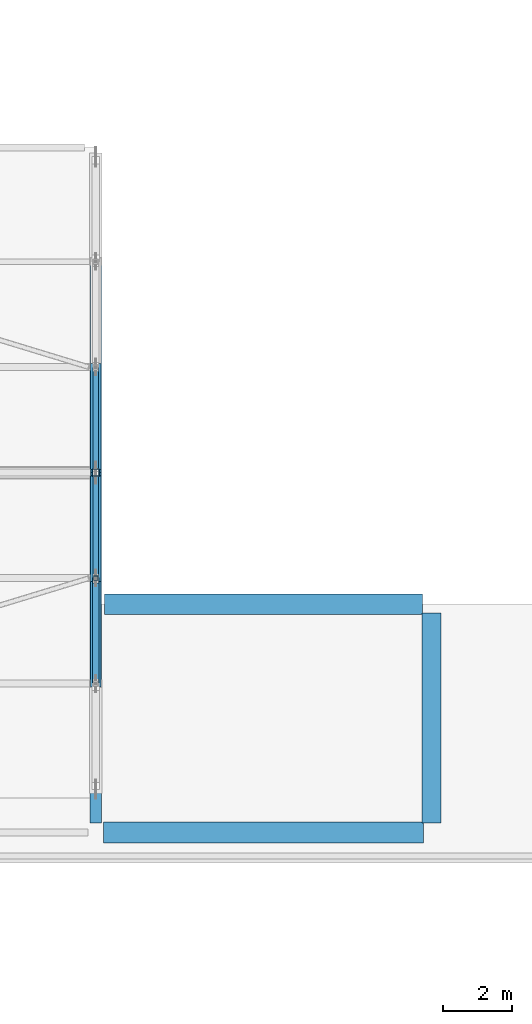
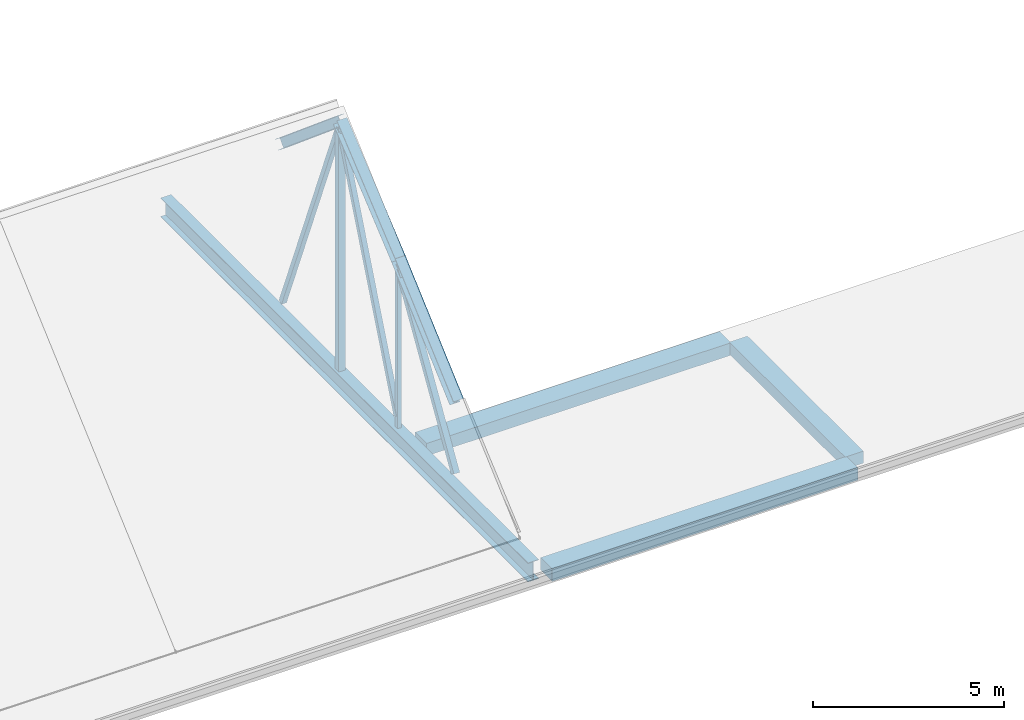
# One storey, part 25 of 86: 8 members, 4 beams.
"""IFC4 building model written with IfcOpenShell, lengths in metres."""

from ifc_helpers import new_model, si_unit, derived_unit, direction, frame, origin, origin_2d, place, context, subcontext, project, spatial, rectangle, hollow_rectangle, i_section, extrude, material, material_profile, profile_set, type_object, element, save


model = new_model("IFC4")

# Units and contexts
model_context = context("Model", 3, precision=1e-05, world=origin(), true_north=direction((0.0, 1.0)))
body_context = subcontext(model_context, "Body", "Model", "MODEL_VIEW")
ifc_project = project(units=[si_unit("LENGTHUNIT", "METRE"), si_unit("AREAUNIT", "SQUARE_METRE"), si_unit("VOLUMEUNIT", "CUBIC_METRE"), si_unit("PLANEANGLEUNIT", "RADIAN"), si_unit("MASSUNIT", "GRAM", prefix="KILO"), derived_unit("THERMALTRANSMITTANCEUNIT", [(si_unit("POWERUNIT", "WATT"), 1), (si_unit("LENGTHUNIT", "METRE"), -2), (si_unit("THERMODYNAMICTEMPERATUREUNIT", "KELVIN"), -1)])], contexts=[model_context])

# Site, building, storey
site_placement = place(None, origin())
site = spatial("IfcSite", under=ifc_project, at=site_placement, CompositionType="ELEMENT")
building_placement = place(site_placement, origin())
building = spatial("IfcBuilding", under=site, at=building_placement, Name="Braskholm Square Health Centre", CompositionType="ELEMENT")
storey_placement = place(building_placement, frame((0.0, 0.0, 13.5)))
storey = spatial("IfcBuildingStorey", under=building, at=storey_placement, Name="L04", CompositionType="ELEMENT", Elevation=13.5)

# Beams
ifc_material_1 = material(Name="Concrete C35/45 (f'c = 35 MPa)", Category="concrete")
ifc_material_profile_1 = material_profile(ifc_material_1, rectangle(XDim=0.550048828125, YDim=0.3798828125, at=origin_2d()), Name="RCB-550X380")
ifc_profile_set_1 = profile_set([ifc_material_profile_1], Name="Concrete C35/45 (f'c = 35 MPa)")
beam_type_1 = type_object("IfcBeamType", Name="PrimaryBandBeam550x380", PredefinedType="BEAM", material=ifc_profile_set_1)
beam_1_placement = place(storey_placement, frame((130.10009765625, 87.47998046875, -0.43994140625), z_axis=(0.0, 1.0, 0.0), x_axis=(-1.0, 0.0, 0.0)))
element("IfcBeam", 1, at=beam_1_placement, inside=storey, type_object=beam_type_1, Name="Beam 16/N-P L04", PredefinedType="BEAM", context=body_context, shape_type="SweptSolid", body=[
    extrude(rectangle(XDim=0.550048828125, YDim=0.3798828125, at=origin_2d()), origin(), (0.0, 0.0, 1.0), 6.070068359375),
])
ifc_material_profile_2 = material_profile(ifc_material_1, rectangle(XDim=0.60009765625, YDim=0.39990234375, at=origin_2d()), Name="RCB-600X400")
ifc_profile_set_2 = profile_set([ifc_material_profile_2], Name="Concrete C35/45 (f'c = 35 MPa)")
beam_type_2 = type_object("IfcBeamType", Name="PrimaryBandBeam600x400", PredefinedType="BEAM", material=ifc_profile_set_2)
beam_2_placement = place(storey_placement, frame((120.6298828125, 87.199951171875, -0.449951171875), z_axis=(1.0, 0.0, 0.0), x_axis=(0.0, 1.0, 0.0)))
element("IfcBeam", 2, at=beam_2_placement, inside=storey, type_object=beam_type_2, Name="Beam 15-16/N L04", PredefinedType="BEAM", context=body_context, shape_type="SweptSolid", body=[
    extrude(rectangle(XDim=0.60009765625, YDim=0.39990234375, at=origin_2d()), origin(), (0.0, 0.0, 1.0), 9.240234375),
])
beam_3_placement = place(storey_placement, frame((120.64990234375, 93.800048828125, -0.449951171875), z_axis=(1.0, 0.0, 0.0), x_axis=(0.0, 1.0, 0.0)))
element("IfcBeam", 3, at=beam_3_placement, inside=storey, type_object=beam_type_2, Name="Beam 15-16/P L04", PredefinedType="BEAM", context=body_context, shape_type="SweptSolid", body=[
    extrude(rectangle(XDim=0.60009765625, YDim=0.39990234375, at=origin_2d()), origin(), (0.0, 0.0, 1.0), 9.2001953125),
])
ifc_material_2 = material(Name="Steel ASTM A992 Grade 50", Category="steel")
ifc_material_profile_3 = material_profile(ifc_material_2, i_section(OverallWidth=0.323974609375, OverallDepth=0.612060546875, WebThickness=0.0126953125, FlangeThickness=0.01904296875, at=origin_2d()), Name="W24X104")
ifc_profile_set_3 = profile_set([ifc_material_profile_3], Name="Steel ASTM A992 Grade 50")
beam_type_3 = type_object("IfcBeamType", Name="SteelGirderHallTieW24X104", PredefinedType="BEAM", material=ifc_profile_set_3)
beam_4_placement = place(storey_placement, frame((120.39990234375, 87.47998046875, -0.580078125), z_axis=(0.0, 1.0, 0.0), x_axis=(-1.0, 0.0, 0.0)))
element("IfcBeam", 4, at=beam_4_placement, inside=storey, type_object=beam_type_3, Name="ROOF TRUSS tie girder TR-08", PredefinedType="BEAM", context=body_context, shape_type="SweptSolid", body=[
    extrude(i_section(OverallWidth=0.323974609375, OverallDepth=0.612060546875, WebThickness=0.0126953125, FlangeThickness=0.01904296875, at=origin_2d()), origin(), (0.0, 0.0, 1.0), 19.239990234375),
])

# Members
ifc_material_3 = material(Name="Steel ASTM A500 Grade C", Category="steel")
ifc_material_profile_4 = material_profile(ifc_material_3, hollow_rectangle(XDim=0.15234375, YDim=0.15234375, WallThickness=0.0087890625, at=origin_2d()), Name="HSS6X6X3/8")
ifc_profile_set_4 = profile_set([ifc_material_profile_4], Name="Steel ASTM A500 Grade C")
member_type_1 = type_object("IfcMemberType", Name="TrussCenterDiagHSS6X6", PredefinedType="BRACE", material=ifc_profile_set_4)
for number, where, z_axis, x_axis, name in (
    (5, (120.39990234375, 94.594970703125, 0.071044921875), (0.0, 0.374971294581, 0.927036422284), (-1.0, 0.0, 0.0), "ROOF TRUSS diagonal web TR-08-D3"),
    (6, (120.39990234375, 100.60498046875, 0.071044921875), (0.0, -0.374971294581, 0.927036422284), (1.0, 0.0, 0.0), "ROOF TRUSS diagonal web TR-08-D4"),
):
    element("IfcMember", number, at=place(storey_placement, frame(where, z_axis=z_axis, x_axis=x_axis)), inside=storey, type_object=member_type_1, Name=name, PredefinedType="BRACE", context=body_context, shape_type="SweptSolid", body=[
        extrude(hollow_rectangle(XDim=0.15234375, YDim=0.15234375, WallThickness=0.0087890625, at=origin_2d()), origin(), (0.0, 0.0, 1.0), 7.893798828125),
    ])
ifc_material_profile_5 = material_profile(ifc_material_2, i_section(OverallWidth=0.304931640625, OverallDepth=0.306884765625, WebThickness=0.010009765625, FlangeThickness=0.015380859375, at=origin_2d()), Name="W12X65")
ifc_profile_set_5 = profile_set([ifc_material_profile_5], Name="Steel ASTM A992 Grade 50")
member_type_2 = type_object("IfcMemberType", Name="TrussHipChordW12X65", PredefinedType="CHORD", material=ifc_profile_set_5)
member_1_placement = place(storey_placement, frame((120.39990234375, 91.5, 2.382080078125), z_axis=(0.0, 0.746426169494, 0.665468236278), x_axis=(-1.0, 0.0, 0.0)))
element("IfcMember", 7, at=member_1_placement, inside=storey, type_object=member_type_2, Name="ROOF TRUSS top chord TR-08-2", PredefinedType="CHORD", context=body_context, shape_type="SweptSolid", body=[
    extrude(i_section(OverallWidth=0.304931640625, OverallDepth=0.306884765625, WebThickness=0.010009765625, FlangeThickness=0.015380859375, at=origin_2d()), origin(), (0.0, 0.0, 1.0), 4.086181640625),
])
member_2_placement = place(storey_placement, frame((120.39990234375, 94.550048828125, 5.101318359375), z_axis=(0.0, 0.766131151452, 0.642684260563), x_axis=(-1.0, 0.0, 0.0)))
element("IfcMember", 8, at=member_2_placement, inside=storey, type_object=member_type_2, Name="ROOF TRUSS top chord TR-08-3", PredefinedType="CHORD", context=body_context, shape_type="SweptSolid", body=[
    extrude(i_section(OverallWidth=0.304931640625, OverallDepth=0.306884765625, WebThickness=0.010009765625, FlangeThickness=0.015380859375, at=origin_2d()), origin(), (0.0, 0.0, 1.0), 3.981201171875),
])
member_3_placement = place(storey_placement, frame((120.39990234375, 97.60009765625, 7.659912109375), z_axis=(0.0, 0.766105819869, -0.642714456631), x_axis=(-1.0, 0.0, 0.0)))
element("IfcMember", 9, at=member_3_placement, inside=storey, type_object=member_type_2, Name="ROOF TRUSS top chord TR-08-4", PredefinedType="CHORD", context=body_context, shape_type="SweptSolid", body=[
    extrude(i_section(OverallWidth=0.304931640625, OverallDepth=0.306884765625, WebThickness=0.010009765625, FlangeThickness=0.015380859375, at=origin_2d()), origin(), (0.0, 0.0, 1.0), 3.98095703125),
])
ifc_material_profile_6 = material_profile(ifc_material_3, hollow_rectangle(XDim=0.177734375, YDim=0.177734375, WallThickness=0.0087890625, at=origin_2d()), Name="HSS7X7X3/8")
ifc_profile_set_6 = profile_set([ifc_material_profile_6], Name="Steel ASTM A500 Grade C")
member_type_3 = type_object("IfcMemberType", Name="TrussInnerDiagHSS7X7", PredefinedType="BRACE", material=ifc_profile_set_6)
member_4_placement = place(storey_placement, frame((120.39990234375, 91.56298828125, 0.06201171875), z_axis=(0.0, 0.522065213128, 0.852905571117), x_axis=(-1.0, 0.0, 0.0)))
element("IfcMember", 10, at=member_4_placement, inside=storey, type_object=member_type_3, Name="ROOF TRUSS diagonal web TR-08-D2", PredefinedType="BRACE", context=body_context, shape_type="SweptSolid", body=[
    extrude(hollow_rectangle(XDim=0.177734375, YDim=0.177734375, WallThickness=0.0087890625, at=origin_2d()), origin(), (0.0, 0.0, 1.0), 5.60107421875),
])
ifc_material_profile_7 = material_profile(ifc_material_3, hollow_rectangle(XDim=0.126953125, YDim=0.126953125, WallThickness=0.00732421875, at=origin_2d()), Name="HSS5X5X5/16")
ifc_profile_set_7 = profile_set([ifc_material_profile_7], Name="Steel ASTM A500 Grade C")
member_type_4 = type_object("IfcMemberType", Name="TrussVerticalStrutHSS5X5", PredefinedType="STRUT", material=ifc_profile_set_7)
member_5_placement = place(storey_placement, frame((120.39990234375, 94.550048828125, -0.27001953125), z_axis=(0.0, 0.0, 1.0), x_axis=(1.0, 0.0, 0.0)))
element("IfcMember", 11, at=member_5_placement, inside=storey, type_object=member_type_4, Name="ROOF TRUSS vertical strut TR-08-V2", PredefinedType="STRUT", context=body_context, shape_type="SweptSolid", body=[
    extrude(hollow_rectangle(XDim=0.126953125, YDim=0.126953125, WallThickness=0.00732421875, at=origin_2d()), origin(), (0.0, 0.0, 1.0), 5.21142578125),
])
ifc_material_profile_8 = material_profile(ifc_material_3, hollow_rectangle(XDim=0.203125, YDim=0.203125, WallThickness=0.0087890625, at=origin_2d()), Name="HSS8X8X3/8")
ifc_profile_set_8 = profile_set([ifc_material_profile_8], Name="Steel ASTM A500 Grade C")
member_type_5 = type_object("IfcMemberType", Name="TrussVerticalStrutHSS8X8", PredefinedType="STRUT", material=ifc_profile_set_8)
member_6_placement = place(storey_placement, frame((120.39990234375, 97.60009765625, -0.27001953125), z_axis=(0.0, 0.0, 1.0), x_axis=(1.0, 0.0, 0.0)))
element("IfcMember", 12, at=member_6_placement, inside=storey, type_object=member_type_5, Name="ROOF TRUSS vertical strut TR-08-V3", PredefinedType="STRUT", context=body_context, shape_type="SweptSolid", body=[
    extrude(hollow_rectangle(XDim=0.203125, YDim=0.203125, WallThickness=0.0087890625, at=origin_2d()), origin(), (0.0, 0.0, 1.0), 7.77001953125),
])

save(model, "model.ifc")
